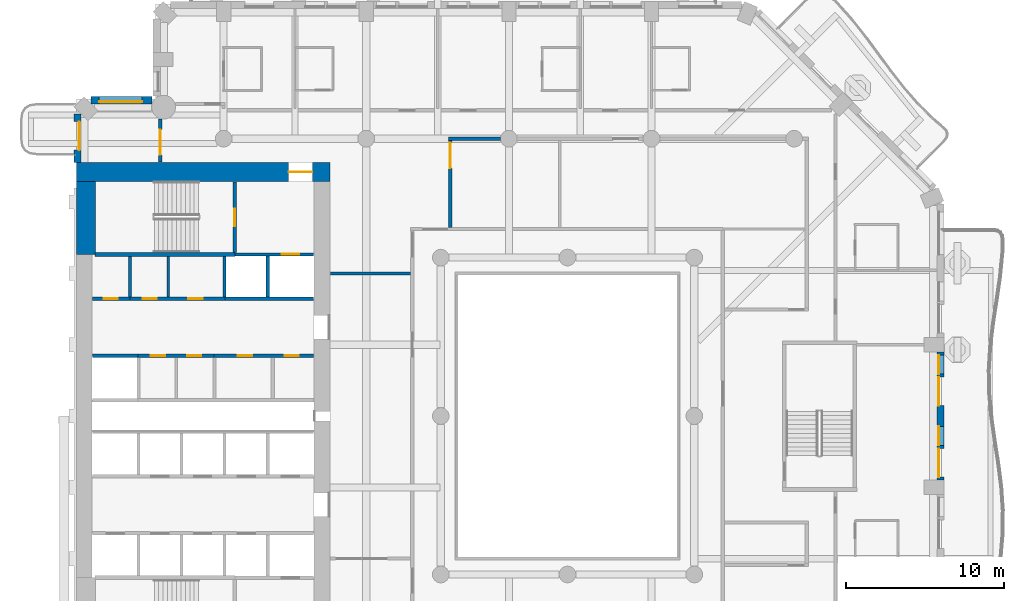
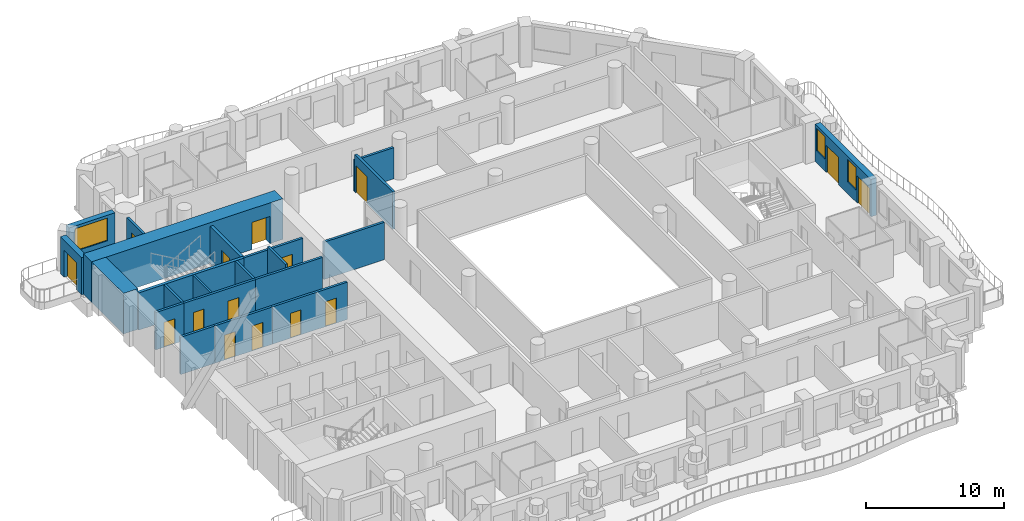
# One storey, part 7 of 21: 22 walls, 15 doors, 3 windows, 18 openings.
"""IFC4 building model written with IfcOpenShell, lengths in metres."""

from ifc_helpers import new_model, si_unit, direction, frame, frame_2d, origin, place, context, subcontext, project, spatial, rectangle, extrude, material, layer, layer_set, type_object, element, fill, save


model = new_model("IFC4")

# Units and contexts
model_context = context("Model", 3, precision=1e-05, world=origin(), true_north=direction((0.0, 1.0)))
body_context = subcontext(model_context, "Body", "Model", "MODEL_VIEW")
ifc_project = project(units=[si_unit("LENGTHUNIT", "METRE"), si_unit("AREAUNIT", "SQUARE_METRE"), si_unit("VOLUMEUNIT", "CUBIC_METRE"), si_unit("PLANEANGLEUNIT", "RADIAN"), si_unit("MASSUNIT", "GRAM", prefix="KILO")], contexts=[model_context])

# Site, building, storey
site_placement = place(None, origin())
site = spatial("IfcSite", under=ifc_project, at=site_placement, CompositionType="ELEMENT")
building_placement = place(site_placement, origin())
building = spatial("IfcBuilding", under=site, at=building_placement, Name="Cypress Arch Tower", CompositionType="ELEMENT")
storey_placement = place(building_placement, frame((0.0, 0.0, 127.5)))
storey = spatial("IfcBuildingStorey", under=building, at=storey_placement, Name="L27", CompositionType="ELEMENT", Elevation=127.5)

# Wall, opening, door
ifc_material_1 = material(Name="Brick (red buff blend)", Category="masonry")
ifc_layer_1 = layer(ifc_material_1, 0.449951171875)
ifc_layer_set_1 = layer_set([ifc_layer_1], Name="Brick pier and spandrel wall BW450")
wall_type_1 = type_object("IfcWallType", Name="Brick pier and spandrel wall BW450", PredefinedType="SOLIDWALL", material=ifc_layer_set_1)
wall_1_placement = place(storey_placement, frame((-29.925048828125, 19.063720703125, 0.0), z_axis=(0.0, 0.0, 1.0), x_axis=(0.0, -1.0, 0.0)))
wall_1 = element("IfcWall", 1, at=wall_1_placement, inside=storey, type_object=wall_type_1, Name="Brick wall L27 A00.0", PredefinedType="SOLIDWALL", context=body_context, shape_type="SweptSolid", body=[
    extrude(rectangle(XDim=3.063720703125, YDim=0.449951171875, at=frame_2d((1.53173828125, 0.0))), origin(), (0.0, 0.0, 1.0), 3.300048828125),
])
opening_1_placement = place(wall_1_placement, frame((0.481689453125, 0.0, 0.0)))
opening_1 = element("IfcOpeningElement", 2, at=opening_1_placement, cuts=wall_1, Name="Opening D-L27-A00.0.1", PredefinedType="OPENING", context=body_context, shape_type="SweptSolid", body=[
    extrude(rectangle(XDim=1.800048828125, YDim=2.39990234375, at=frame_2d((0.89990234375, 1.199951171875))), frame((0.0, 0.23486328125, 0.0), z_axis=(0.0, -1.0, 0.0), x_axis=(1.0, 0.0, 0.0)), (0.0, 0.0, 1.0), 0.469970703125),
])
ifc_material_2 = material(Name="Anodised aluminium, bronze finish, laminated low-emissivity double glazing, large-missile impact rated", Category="aluminium")
door_type_1 = type_object("IfcDoorType", Name="Balcony sliding door 1800x2400", OperationType="SLIDING_TO_LEFT", PredefinedType="DOOR", material=ifc_material_2)
door_1_placement = place(opening_1_placement, origin())
door_1 = element("IfcDoor", 3, at=door_1_placement, inside=storey, type_object=door_type_1, Name="Balcony door L27 A00.0.1", OperationType="SLIDING_TO_LEFT", OverallHeight=2.39990234375, OverallWidth=1.800048828125, PredefinedType="DOOR", context=body_context, shape_type="SweptSolid", body=[
    extrude(rectangle(XDim=1.800048828125, YDim=2.39990234375, at=frame_2d((0.89990234375, 1.199951171875))), frame((0.0, 0.1298828125, 0.0), z_axis=(0.0, -1.0, 0.0), x_axis=(1.0, 0.0, 0.0)), (0.0, 0.0, 1.0), 0.050048828125),
])
fill(opening_1, door_1)

# Wall, openings, doors, windows
wall_2_placement = place(storey_placement, frame((24.52490234375, -4.050048828125, 0.0), z_axis=(0.0, 0.0, 1.0), x_axis=(0.0, 1.0, 0.0)))
wall_2 = element("IfcWall", 4, at=wall_2_placement, inside=storey, type_object=wall_type_1, Name="Brick wall L27 A06.2", PredefinedType="SOLIDWALL", context=body_context, shape_type="SweptSolid", body=[
    extrude(rectangle(XDim=8.10009765625, YDim=0.449951171875, at=frame_2d((4.050048828125, 0.0))), origin(), (0.0, 0.0, 1.0), 3.300048828125),
])
opening_2_placement = place(wall_2_placement, frame((0.199951171875, 0.0, 0.0)))
opening_2 = element("IfcOpeningElement", 5, at=opening_2_placement, cuts=wall_2, Name="Opening D-L27-A06.2.1", PredefinedType="OPENING", context=body_context, shape_type="SweptSolid", body=[
    extrude(rectangle(XDim=1.800048828125, YDim=2.39990234375, at=frame_2d((0.89990234375, 1.199951171875))), frame((0.0, 0.23486328125, 0.0), z_axis=(0.0, -1.0, 0.0), x_axis=(1.0, 0.0, 0.0)), (0.0, 0.0, 1.0), 0.469970703125),
])
opening_3_placement = place(wall_2_placement, frame((2.199951171875, 0.0, 1.050048828125)))
opening_3 = element("IfcOpeningElement", 6, at=opening_3_placement, cuts=wall_2, Name="Opening W120HD", PredefinedType="OPENING", context=body_context, shape_type="SweptSolid", body=[
    extrude(rectangle(XDim=1.199951171875, YDim=2.0, at=frame_2d((0.60009765625, 1.0))), frame((0.0, 0.23486328125, 0.0), z_axis=(0.0, -1.0, 0.0), x_axis=(1.0, 0.0, 0.0)), (0.0, 0.0, 1.0), 0.469970703125),
])
opening_4_placement = place(wall_2_placement, frame((4.699951171875, 0.0, 0.0)))
opening_4 = element("IfcOpeningElement", 7, at=opening_4_placement, cuts=wall_2, Name="Opening D-L27-A06.2.2", PredefinedType="OPENING", context=body_context, shape_type="SweptSolid", body=[
    extrude(rectangle(XDim=1.800048828125, YDim=2.39990234375, at=frame_2d((0.89990234375, 1.199951171875))), frame((0.0, 0.23486328125, 0.0), z_axis=(0.0, -1.0, 0.0), x_axis=(1.0, 0.0, 0.0)), (0.0, 0.0, 1.0), 0.469970703125),
])
opening_5_placement = place(wall_2_placement, frame((6.699951171875, 0.0, 1.050048828125)))
opening_5 = element("IfcOpeningElement", 8, at=opening_5_placement, cuts=wall_2, Name="Opening W120HD", PredefinedType="OPENING", context=body_context, shape_type="SweptSolid", body=[
    extrude(rectangle(XDim=1.199951171875, YDim=2.0, at=frame_2d((0.60009765625, 1.0))), frame((0.0, 0.23486328125, 0.0), z_axis=(0.0, -1.0, 0.0), x_axis=(1.0, 0.0, 0.0)), (0.0, 0.0, 1.0), 0.469970703125),
])
door_2_placement = place(opening_2_placement, origin())
door_2 = element("IfcDoor", 9, at=door_2_placement, inside=storey, type_object=door_type_1, Name="Balcony door L27 A06.2.1", OperationType="SLIDING_TO_LEFT", OverallHeight=2.39990234375, OverallWidth=1.800048828125, PredefinedType="DOOR", context=body_context, shape_type="SweptSolid", body=[
    extrude(rectangle(XDim=1.800048828125, YDim=2.39990234375, at=frame_2d((0.89990234375, 1.199951171875))), frame((0.0, 0.1298828125, 0.0), z_axis=(0.0, -1.0, 0.0), x_axis=(1.0, 0.0, 0.0)), (0.0, 0.0, 1.0), 0.050048828125),
])
fill(opening_2, door_2)
door_3_placement = place(opening_4_placement, origin())
door_3 = element("IfcDoor", 10, at=door_3_placement, inside=storey, type_object=door_type_1, Name="Balcony door L27 A06.2.2", OperationType="SLIDING_TO_LEFT", OverallHeight=2.39990234375, OverallWidth=1.800048828125, PredefinedType="DOOR", context=body_context, shape_type="SweptSolid", body=[
    extrude(rectangle(XDim=1.800048828125, YDim=2.39990234375, at=frame_2d((0.89990234375, 1.199951171875))), frame((0.0, 0.1298828125, 0.0), z_axis=(0.0, -1.0, 0.0), x_axis=(1.0, 0.0, 0.0)), (0.0, 0.0, 1.0), 0.050048828125),
])
fill(opening_4, door_3)
ifc_material_3 = material(Name="Anodised aluminium, bronze finish, laminated low-emissivity double glazing, large-missile impact rated", Category="aluminium")
window_type_1 = type_object("IfcWindowType", Name="Window Hotel 1200x2000 debris-rated", PartitioningType="SINGLE_PANEL", PredefinedType="WINDOW", material=ifc_material_3)
window_1_placement = place(opening_3_placement, origin())
window_1 = element("IfcWindow", 11, at=window_1_placement, inside=storey, type_object=window_type_1, Name="Window L27 A06.2.1", OverallHeight=2.0, OverallWidth=1.199951171875, PartitioningType="SINGLE_PANEL", PredefinedType="WINDOW", context=body_context, shape_type="SweptSolid", body=[
    extrude(rectangle(XDim=1.199951171875, YDim=2.0, at=frame_2d((0.60009765625, 1.0))), frame((0.0, 0.135009765625, 0.0), z_axis=(0.0, -1.0, 0.0), x_axis=(1.0, 0.0, 0.0)), (0.0, 0.0, 1.0), 0.06005859375),
])
fill(opening_3, window_1)
window_2_placement = place(opening_5_placement, origin())
window_2 = element("IfcWindow", 12, at=window_2_placement, inside=storey, type_object=window_type_1, Name="Window L27 A06.2.2", OverallHeight=2.0, OverallWidth=1.199951171875, PartitioningType="SINGLE_PANEL", PredefinedType="WINDOW", context=body_context, shape_type="SweptSolid", body=[
    extrude(rectangle(XDim=1.199951171875, YDim=2.0, at=frame_2d((0.60009765625, 1.0))), frame((0.0, 0.135009765625, 0.0), z_axis=(0.0, -1.0, 0.0), x_axis=(1.0, 0.0, 0.0)), (0.0, 0.0, 1.0), 0.06005859375),
])
fill(opening_5, window_2)

# Wall, opening, window
wall_3_placement = place(storey_placement, frame((-25.20703125, 19.925048828125, 0.0), z_axis=(0.0, 0.0, 1.0), x_axis=(-1.0, 0.0, 0.0)))
wall_3 = element("IfcWall", 13, at=wall_3_placement, inside=storey, type_object=wall_type_1, Name="Brick wall L27 A10.0", PredefinedType="SOLIDWALL", context=body_context, shape_type="SweptSolid", body=[
    extrude(rectangle(XDim=3.856689453125, YDim=0.449951171875, at=frame_2d((1.92822265625, 0.0))), origin(), (0.0, 0.0, 1.0), 3.300048828125),
])
opening_6_placement = place(wall_3_placement, frame((0.64306640625, 0.0, 1.050048828125)))
opening_6 = element("IfcOpeningElement", 14, at=opening_6_placement, cuts=wall_3, Name="Opening W270H", PredefinedType="OPENING", context=body_context, shape_type="SweptSolid", body=[
    extrude(rectangle(XDim=2.699951171875, YDim=2.0, at=frame_2d((1.35009765625, 1.0))), frame((0.0, 0.23486328125, 0.0), z_axis=(0.0, -1.0, 0.0), x_axis=(1.0, 0.0, 0.0)), (0.0, 0.0, 1.0), 0.469970703125),
])
ifc_material_4 = material(Name="Anodised aluminium, bronze finish, clear low-emissivity double glazing", Category="aluminium")
window_type_2 = type_object("IfcWindowType", Name="Window Hotel 2700x2000", PartitioningType="SINGLE_PANEL", PredefinedType="WINDOW", material=ifc_material_4)
window_3_placement = place(opening_6_placement, origin())
window_3 = element("IfcWindow", 15, at=window_3_placement, inside=storey, type_object=window_type_2, Name="Window L27 A10.0.1", OverallHeight=2.0, OverallWidth=2.699951171875, PartitioningType="SINGLE_PANEL", PredefinedType="WINDOW", context=body_context, shape_type="SweptSolid", body=[
    extrude(rectangle(XDim=2.699951171875, YDim=2.0, at=frame_2d((1.35009765625, 1.0))), frame((0.0, 0.135009765625, 0.0), z_axis=(0.0, -1.0, 0.0), x_axis=(1.0, 0.0, 0.0)), (0.0, 0.0, 1.0), 0.06005859375),
])
fill(opening_6, window_3)

# Wall, opening, door
ifc_material_5 = material(Name="Concrete C80/95", Category="concrete")
ifc_layer_2 = layer(ifc_material_5, 1.199951171875)
ifc_layer_set_2 = layer_set([ifc_layer_2], Name="Core wall CW1200 C80/95")
wall_type_2 = type_object("IfcWallType", Name="Core wall CW1200 C80/95", PredefinedType="SHEAR", material=ifc_layer_set_2)
wall_4_placement = place(storey_placement, frame((-30.0, 15.39990234375, 0.0), z_axis=(0.0, 0.0, 1.0), x_axis=(1.0, 0.0, 0.0)))
wall_4 = element("IfcWall", 16, at=wall_4_placement, inside=storey, type_object=wall_type_2, Name="Core wall", PredefinedType="SHEAR", context=body_context, shape_type="SweptSolid", body=[
    extrude(rectangle(XDim=16.0, YDim=1.199951171875, at=frame_2d((8.0, 0.0))), origin(), (0.0, 0.0, 1.0), 3.60009765625),
])
opening_7_placement = place(wall_4_placement, frame((13.39990234375, 0.0, 0.0)))
opening_7 = element("IfcOpeningElement", 17, at=opening_7_placement, cuts=wall_4, Name="Opening D07", PredefinedType="OPENING", context=body_context, shape_type="SweptSolid", body=[
    extrude(rectangle(XDim=1.5, YDim=2.39990234375, at=frame_2d((0.75, 1.199951171875))), frame((0.0, 0.60986328125, 0.0), z_axis=(0.0, -1.0, 0.0), x_axis=(1.0, 0.0, 0.0)), (0.0, 0.0, 1.0), 1.219970703125),
])
ifc_material_6 = material(Name="Steel framed glazed door, fire resisting", Category="steel")
door_type_2 = type_object("IfcDoorType", Name="Lobby door D07 1500x2400", OperationType="DOUBLE_DOOR_SINGLE_SWING", PredefinedType="DOOR", material=ifc_material_6)
door_4_placement = place(opening_7_placement, origin())
door_4 = element("IfcDoor", 18, at=door_4_placement, inside=storey, type_object=door_type_2, Name="Lobby door", OperationType="DOUBLE_DOOR_SINGLE_SWING", OverallHeight=2.39990234375, OverallWidth=1.5, PredefinedType="DOOR", context=body_context, shape_type="SweptSolid", body=[
    extrude(rectangle(XDim=1.5, YDim=2.39990234375, at=frame_2d((0.75, 1.199951171875))), frame((0.0, 0.02490234375, 0.0), z_axis=(0.0, -1.0, 0.0), x_axis=(1.0, 0.0, 0.0)), (0.0, 0.0, 1.0), 0.050048828125),
])
fill(opening_7, door_4)

# Wall
wall_5_placement = place(storey_placement, frame((-29.39990234375, 10.199951171875, 0.0), z_axis=(0.0, 0.0, 1.0), x_axis=(0.0, 1.0, 0.0)))
element("IfcWall", 19, at=wall_5_placement, inside=storey, type_object=wall_type_2, Name="Core wall", PredefinedType="SHEAR", context=body_context, shape_type="SweptSolid", body=[
    extrude(rectangle(XDim=4.60009765625, YDim=1.199951171875, at=frame_2d((2.300048828125, 0.0))), origin(), (0.0, 0.0, 1.0), 3.60009765625),
])

# Wall, openings, doors
ifc_material_7 = material(Name="Concrete blockwork, plastered, rated", Category="masonry")
ifc_layer_3 = layer(ifc_material_7, 0.199951171875)
ifc_layer_set_3 = layer_set([ifc_layer_3], Name="Corridor wall FW200")
wall_type_3 = type_object("IfcWallType", Name="Corridor wall FW200", PredefinedType="PARTITIONING", material=ifc_layer_set_3)
wall_6_placement = place(storey_placement, frame((-26.6201171875, 7.39990234375, 0.0), z_axis=(0.0, 0.0, 1.0), x_axis=(1.0, 0.0, 0.0)))
wall_6 = element("IfcWall", 20, at=wall_6_placement, inside=storey, type_object=wall_type_3, Name="Corridor wall", PredefinedType="PARTITIONING", context=body_context, shape_type="SweptSolid", body=[
    extrude(rectangle(XDim=6.0, YDim=0.199951171875, at=frame_2d((3.0, 0.0))), origin(), (0.0, 0.0, 1.0), 3.300048828125),
])
opening_8_placement = place(wall_6_placement, frame((0.800048828125, 0.0, 0.0)))
opening_8 = element("IfcOpeningElement", 21, at=opening_8_placement, cuts=wall_6, Name="Opening D05", PredefinedType="OPENING", context=body_context, shape_type="SweptSolid", body=[
    extrude(rectangle(XDim=0.89990234375, YDim=2.199951171875, at=frame_2d((0.449951171875, 1.10009765625))), frame((0.0, 0.10986328125, 0.0), z_axis=(0.0, -1.0, 0.0), x_axis=(1.0, 0.0, 0.0)), (0.0, 0.0, 1.0), 0.219970703125),
])
opening_9_placement = place(wall_6_placement, frame((3.699951171875, 0.0, 0.0)))
opening_9 = element("IfcOpeningElement", 22, at=opening_9_placement, cuts=wall_6, Name="Opening D05", PredefinedType="OPENING", context=body_context, shape_type="SweptSolid", body=[
    extrude(rectangle(XDim=0.89990234375, YDim=2.199951171875, at=frame_2d((0.449951171875, 1.10009765625))), frame((0.0, 0.10986328125, 0.0), z_axis=(0.0, -1.0, 0.0), x_axis=(1.0, 0.0, 0.0)), (0.0, 0.0, 1.0), 0.219970703125),
])
ifc_material_8 = material(Name="Timber flush door", Category="wood")
door_type_3 = type_object("IfcDoorType", Name="Service door D05 900x2200", OperationType="SINGLE_SWING_LEFT", PredefinedType="DOOR", material=ifc_material_8)
door_5_placement = place(opening_8_placement, origin())
door_5 = element("IfcDoor", 23, at=door_5_placement, inside=storey, type_object=door_type_3, Name="Service door", OperationType="SINGLE_SWING_RIGHT", OverallHeight=2.199951171875, OverallWidth=0.89990234375, PredefinedType="DOOR", context=body_context, shape_type="SweptSolid", body=[
    extrude(rectangle(XDim=0.89990234375, YDim=2.199951171875, at=frame_2d((0.449951171875, 1.10009765625))), frame((0.0, 0.02490234375, 0.0), z_axis=(0.0, -1.0, 0.0), x_axis=(1.0, 0.0, 0.0)), (0.0, 0.0, 1.0), 0.050048828125),
])
fill(opening_8, door_5)
door_6_placement = place(opening_9_placement, origin())
door_6 = element("IfcDoor", 24, at=door_6_placement, inside=storey, type_object=door_type_3, Name="Service door", OperationType="SINGLE_SWING_LEFT", OverallHeight=2.199951171875, OverallWidth=0.89990234375, PredefinedType="DOOR", context=body_context, shape_type="SweptSolid", body=[
    extrude(rectangle(XDim=0.89990234375, YDim=2.199951171875, at=frame_2d((0.449951171875, 1.10009765625))), frame((0.0, 0.02490234375, 0.0), z_axis=(0.0, -1.0, 0.0), x_axis=(1.0, 0.0, 0.0)), (0.0, 0.0, 1.0), 0.050048828125),
])
fill(opening_9, door_6)

wall_7_placement = place(storey_placement, frame((-26.10009765625, 3.800048828125, 0.0), z_axis=(0.0, 0.0, 1.0), x_axis=(1.0, 0.0, 0.0)))
wall_7 = element("IfcWall", 25, at=wall_7_placement, inside=storey, type_object=wall_type_3, Name="Corridor wall", PredefinedType="PARTITIONING", context=body_context, shape_type="SweptSolid", body=[
    extrude(rectangle(XDim=4.800048828125, YDim=0.199951171875, at=frame_2d((2.39990234375, 0.0))), origin(), (0.0, 0.0, 1.0), 3.300048828125),
])
opening_10_placement = place(wall_7_placement, frame((0.800048828125, 0.0, 0.0)))
opening_10 = element("IfcOpeningElement", 26, at=opening_10_placement, cuts=wall_7, Name="Opening D05", PredefinedType="OPENING", context=body_context, shape_type="SweptSolid", body=[
    extrude(rectangle(XDim=0.89990234375, YDim=2.199951171875, at=frame_2d((0.449951171875, 1.10009765625))), frame((0.0, 0.10986328125, 0.0), z_axis=(0.0, -1.0, 0.0), x_axis=(1.0, 0.0, 0.0)), (0.0, 0.0, 1.0), 0.219970703125),
])
opening_11_placement = place(wall_7_placement, frame((3.10009765625, 0.0, 0.0)))
opening_11 = element("IfcOpeningElement", 27, at=opening_11_placement, cuts=wall_7, Name="Opening D05", PredefinedType="OPENING", context=body_context, shape_type="SweptSolid", body=[
    extrude(rectangle(XDim=0.89990234375, YDim=2.199951171875, at=frame_2d((0.449951171875, 1.10009765625))), frame((0.0, 0.10986328125, 0.0), z_axis=(0.0, -1.0, 0.0), x_axis=(1.0, 0.0, 0.0)), (0.0, 0.0, 1.0), 0.219970703125),
])
door_7_placement = place(opening_10_placement, origin())
door_7 = element("IfcDoor", 28, at=door_7_placement, inside=storey, type_object=door_type_3, Name="Service door", OperationType="SINGLE_SWING_LEFT", OverallHeight=2.199951171875, OverallWidth=0.89990234375, PredefinedType="DOOR", context=body_context, shape_type="SweptSolid", body=[
    extrude(rectangle(XDim=0.89990234375, YDim=2.199951171875, at=frame_2d((0.449951171875, 1.10009765625))), frame((0.0, 0.02490234375, 0.0), z_axis=(0.0, -1.0, 0.0), x_axis=(1.0, 0.0, 0.0)), (0.0, 0.0, 1.0), 0.050048828125),
])
fill(opening_10, door_7)
door_8_placement = place(opening_11_placement, origin())
door_8 = element("IfcDoor", 29, at=door_8_placement, inside=storey, type_object=door_type_3, Name="Service door", OperationType="SINGLE_SWING_RIGHT", OverallHeight=2.199951171875, OverallWidth=0.89990234375, PredefinedType="DOOR", context=body_context, shape_type="SweptSolid", body=[
    extrude(rectangle(XDim=0.89990234375, YDim=2.199951171875, at=frame_2d((0.449951171875, 1.10009765625))), frame((0.0, 0.02490234375, 0.0), z_axis=(0.0, -1.0, 0.0), x_axis=(1.0, 0.0, 0.0)), (0.0, 0.0, 1.0), 0.050048828125),
])
fill(opening_11, door_8)

# Wall, opening, door
wall_8_placement = place(storey_placement, frame((-24.699951171875, 16.030029296875, 0.0), z_axis=(0.0, 0.0, 1.0), x_axis=(0.0, 1.0, 0.0)))
wall_8 = element("IfcWall", 30, at=wall_8_placement, inside=storey, type_object=wall_type_3, Name="Corridor wall", PredefinedType="PARTITIONING", context=body_context, shape_type="SweptSolid", body=[
    extrude(rectangle(XDim=2.72216796875, YDim=0.199951171875, at=frame_2d((1.361083984375, 0.0))), origin(), (0.0, 0.0, 1.0), 3.300048828125),
])
opening_12_placement = place(wall_8_placement, frame((0.449951171875, 0.0, 0.0)))
opening_12 = element("IfcOpeningElement", 31, at=opening_12_placement, cuts=wall_8, Name="Opening D10", PredefinedType="OPENING", context=body_context, shape_type="SweptSolid", body=[
    extrude(rectangle(XDim=1.60009765625, YDim=2.39990234375, at=frame_2d((0.800048828125, 1.199951171875))), frame((0.0, 0.10986328125, 0.0), z_axis=(0.0, -1.0, 0.0), x_axis=(1.0, 0.0, 0.0)), (0.0, 0.0, 1.0), 0.219970703125),
])
ifc_material_9 = material(Name="Black aluminium glazed door", Category="aluminium")
door_type_4 = type_object("IfcDoorType", Name="Amenity door D10 1600x2400", OperationType="DOUBLE_DOOR_SINGLE_SWING", PredefinedType="DOOR", material=ifc_material_9)
door_9_placement = place(opening_12_placement, origin())
door_9 = element("IfcDoor", 32, at=door_9_placement, inside=storey, type_object=door_type_4, Name="Amenity door", OperationType="DOUBLE_DOOR_SINGLE_SWING", OverallHeight=2.39990234375, OverallWidth=1.60009765625, PredefinedType="DOOR", context=body_context, shape_type="SweptSolid", body=[
    extrude(rectangle(XDim=1.60009765625, YDim=2.39990234375, at=frame_2d((0.800048828125, 1.199951171875))), frame((0.0, 0.02490234375, 0.0), z_axis=(0.0, -1.0, 0.0), x_axis=(1.0, 0.0, 0.0)), (0.0, 0.0, 1.0), 0.050048828125),
])
fill(opening_12, door_9)

# Wall
wall_9_placement = place(storey_placement, frame((-13.969970703125, 9.0, 0.0), z_axis=(0.0, 0.0, 1.0), x_axis=(1.0, 0.0, 0.0)))
element("IfcWall", 33, at=wall_9_placement, inside=storey, type_object=wall_type_3, Name="Corridor wall", PredefinedType="PARTITIONING", context=body_context, shape_type="SweptSolid", body=[
    extrude(rectangle(XDim=5.070068359375, YDim=0.199951171875, at=frame_2d((2.53515625, 0.0))), origin(), (0.0, 0.0, 1.0), 3.300048828125),
])

# Wall, opening, door
wall_10_placement = place(storey_placement, frame((-6.39990234375, 11.89990234375, 0.0), z_axis=(0.0, 0.0, 1.0), x_axis=(0.0, 1.0, 0.0)))
wall_10 = element("IfcWall", 34, at=wall_10_placement, inside=storey, type_object=wall_type_3, Name="Corridor wall", PredefinedType="PARTITIONING", context=body_context, shape_type="SweptSolid", body=[
    extrude(rectangle(XDim=5.5, YDim=0.199951171875, at=frame_2d((2.75, 0.0))), origin(), (0.0, 0.0, 1.0), 3.300048828125),
])
opening_13_placement = place(wall_10_placement, frame((3.75, 0.0, 0.0)))
opening_13 = element("IfcOpeningElement", 35, at=opening_13_placement, cuts=wall_10, Name="Opening D10", PredefinedType="OPENING", context=body_context, shape_type="SweptSolid", body=[
    extrude(rectangle(XDim=1.60009765625, YDim=2.39990234375, at=frame_2d((0.800048828125, 1.199951171875))), frame((0.0, 0.10986328125, 0.0), z_axis=(0.0, -1.0, 0.0), x_axis=(1.0, 0.0, 0.0)), (0.0, 0.0, 1.0), 0.219970703125),
])
door_10_placement = place(opening_13_placement, origin())
door_10 = element("IfcDoor", 36, at=door_10_placement, inside=storey, type_object=door_type_4, Name="Amenity door", OperationType="DOUBLE_DOOR_SINGLE_SWING", OverallHeight=2.39990234375, OverallWidth=1.60009765625, PredefinedType="DOOR", context=body_context, shape_type="SweptSolid", body=[
    extrude(rectangle(XDim=1.60009765625, YDim=2.39990234375, at=frame_2d((0.800048828125, 1.199951171875))), frame((0.0, 0.02490234375, 0.0), z_axis=(0.0, -1.0, 0.0), x_axis=(1.0, 0.0, 0.0)), (0.0, 0.0, 1.0), 0.050048828125),
])
fill(opening_13, door_10)

# Walls
wall_11_placement = place(storey_placement, frame((-6.5, 17.5, 0.0), z_axis=(0.0, 0.0, 1.0), x_axis=(1.0, 0.0, 0.0)))
element("IfcWall", 37, at=wall_11_placement, inside=storey, type_object=wall_type_3, Name="Corridor wall", PredefinedType="PARTITIONING", context=body_context, shape_type="SweptSolid", body=[
    extrude(rectangle(XDim=3.27490234375, YDim=0.199951171875, at=frame_2d((1.637451171875, 0.0))), origin(), (0.0, 0.0, 1.0), 2.75),
])
ifc_material_10 = material(Name="Blockwork, plastered both sides", Category="masonry")
ifc_layer_4 = layer(ifc_material_10, 0.14990234375)
ifc_layer_set_4 = layer_set([ifc_layer_4], Name="Partition PW150")
wall_type_4 = type_object("IfcWallType", Name="Partition PW150", PredefinedType="PARTITIONING", material=ifc_layer_set_4)
wall_12_placement = place(storey_placement, frame((-24.199951171875, 7.5, 0.0), z_axis=(0.0, 0.0, 1.0), x_axis=(0.0, 1.0, 0.0)))
element("IfcWall", 38, at=wall_12_placement, inside=storey, type_object=wall_type_4, Name="Partition", PredefinedType="PARTITIONING", context=body_context, shape_type="SweptSolid", body=[
    extrude(rectangle(XDim=2.574951171875, YDim=0.14990234375, at=frame_2d((1.28759765625, 0.0))), origin(), (0.0, 0.0, 1.0), 3.300048828125),
])

# Wall, opening, door
ifc_material_11 = material(Name="Reinforced blockwork, plastered, rated", Category="masonry")
ifc_layer_5 = layer(ifc_material_11, 0.199951171875)
ifc_layer_set_5 = layer_set([ifc_layer_5], Name="Plant and riser wall PL200")
wall_type_5 = type_object("IfcWallType", Name="Plant and riser wall PL200", PredefinedType="PARTITIONING", material=ifc_layer_set_5)
wall_13_placement = place(storey_placement, frame((-28.969970703125, 7.39990234375, 0.0), z_axis=(0.0, 0.0, 1.0), x_axis=(1.0, 0.0, 0.0)))
wall_13 = element("IfcWall", 39, at=wall_13_placement, inside=storey, type_object=wall_type_5, Name="Plant and riser wall", PredefinedType="PARTITIONING", context=body_context, shape_type="SweptSolid", body=[
    extrude(rectangle(XDim=2.349853515625, YDim=0.199951171875, at=frame_2d((1.1748046875, 0.0))), origin(), (0.0, 0.0, 1.0), 3.300048828125),
])
opening_14_placement = place(wall_13_placement, frame((0.699951171875, 0.0, 0.0)))
opening_14 = element("IfcOpeningElement", 40, at=opening_14_placement, cuts=wall_13, Name="Opening D05", PredefinedType="OPENING", context=body_context, shape_type="SweptSolid", body=[
    extrude(rectangle(XDim=0.89990234375, YDim=2.199951171875, at=frame_2d((0.449951171875, 1.10009765625))), frame((0.0, 0.10986328125, 0.0), z_axis=(0.0, -1.0, 0.0), x_axis=(1.0, 0.0, 0.0)), (0.0, 0.0, 1.0), 0.219970703125),
])
door_11_placement = place(opening_14_placement, origin())
door_11 = element("IfcDoor", 41, at=door_11_placement, inside=storey, type_object=door_type_3, Name="Service door", OperationType="SINGLE_SWING_RIGHT", OverallHeight=2.199951171875, OverallWidth=0.89990234375, PredefinedType="DOOR", context=body_context, shape_type="SweptSolid", body=[
    extrude(rectangle(XDim=0.89990234375, YDim=2.199951171875, at=frame_2d((0.449951171875, 1.10009765625))), frame((0.0, 0.02490234375, 0.0), z_axis=(0.0, -1.0, 0.0), x_axis=(1.0, 0.0, 0.0)), (0.0, 0.0, 1.0), 0.050048828125),
])
fill(opening_14, door_11)

# Wall
wall_14_placement = place(storey_placement, frame((-26.60009765625, 7.5, 0.0), z_axis=(0.0, 0.0, 1.0), x_axis=(0.0, 1.0, 0.0)))
element("IfcWall", 42, at=wall_14_placement, inside=storey, type_object=wall_type_5, Name="Plant and riser wall", PredefinedType="PARTITIONING", context=body_context, shape_type="SweptSolid", body=[
    extrude(rectangle(XDim=2.574951171875, YDim=0.199951171875, at=frame_2d((1.28759765625, 0.0))), origin(), (0.0, 0.0, 1.0), 3.300048828125),
])

# Wall, openings, doors
wall_15_placement = place(storey_placement, frame((-21.300048828125, 3.800048828125, 0.0), z_axis=(0.0, 0.0, 1.0), x_axis=(1.0, 0.0, 0.0)))
wall_15 = element("IfcWall", 43, at=wall_15_placement, inside=storey, type_object=wall_type_5, Name="Plant and riser wall", PredefinedType="PARTITIONING", context=body_context, shape_type="SweptSolid", body=[
    extrude(rectangle(XDim=6.27001953125, YDim=0.199951171875, at=frame_2d((3.135009765625, 0.0))), origin(), (0.0, 0.0, 1.0), 3.300048828125),
])
opening_15_placement = place(wall_15_placement, frame((1.5, 0.0, 0.0)))
opening_15 = element("IfcOpeningElement", 44, at=opening_15_placement, cuts=wall_15, Name="Opening D05", PredefinedType="OPENING", context=body_context, shape_type="SweptSolid", body=[
    extrude(rectangle(XDim=0.89990234375, YDim=2.199951171875, at=frame_2d((0.449951171875, 1.10009765625))), frame((0.0, 0.10986328125, 0.0), z_axis=(0.0, -1.0, 0.0), x_axis=(1.0, 0.0, 0.0)), (0.0, 0.0, 1.0), 0.219970703125),
])
opening_16_placement = place(wall_15_placement, frame((4.449951171875, 0.0, 0.0)))
opening_16 = element("IfcOpeningElement", 45, at=opening_16_placement, cuts=wall_15, Name="Opening D05", PredefinedType="OPENING", context=body_context, shape_type="SweptSolid", body=[
    extrude(rectangle(XDim=0.89990234375, YDim=2.199951171875, at=frame_2d((0.449951171875, 1.10009765625))), frame((0.0, 0.10986328125, 0.0), z_axis=(0.0, -1.0, 0.0), x_axis=(1.0, 0.0, 0.0)), (0.0, 0.0, 1.0), 0.219970703125),
])
door_12_placement = place(opening_15_placement, origin())
door_12 = element("IfcDoor", 46, at=door_12_placement, inside=storey, type_object=door_type_3, Name="Service door", OperationType="SINGLE_SWING_LEFT", OverallHeight=2.199951171875, OverallWidth=0.89990234375, PredefinedType="DOOR", context=body_context, shape_type="SweptSolid", body=[
    extrude(rectangle(XDim=0.89990234375, YDim=2.199951171875, at=frame_2d((0.449951171875, 1.10009765625))), frame((0.0, 0.02490234375, 0.0), z_axis=(0.0, -1.0, 0.0), x_axis=(1.0, 0.0, 0.0)), (0.0, 0.0, 1.0), 0.050048828125),
])
fill(opening_15, door_12)
door_13_placement = place(opening_16_placement, origin())
door_13 = element("IfcDoor", 47, at=door_13_placement, inside=storey, type_object=door_type_3, Name="Service door", OperationType="SINGLE_SWING_RIGHT", OverallHeight=2.199951171875, OverallWidth=0.89990234375, PredefinedType="DOOR", context=body_context, shape_type="SweptSolid", body=[
    extrude(rectangle(XDim=0.89990234375, YDim=2.199951171875, at=frame_2d((0.449951171875, 1.10009765625))), frame((0.0, 0.02490234375, 0.0), z_axis=(0.0, -1.0, 0.0), x_axis=(1.0, 0.0, 0.0)), (0.0, 0.0, 1.0), 0.050048828125),
])
fill(opening_16, door_13)

# Walls
ifc_material_12 = material(Name="Concrete C50/60", Category="concrete")
ifc_layer_6 = layer(ifc_material_12, 0.199951171875)
ifc_layer_set_6 = layer_set([ifc_layer_6], Name="Shaft wall SH200")
wall_type_6 = type_object("IfcWallType", Name="Shaft wall SH200", PredefinedType="SHEAR", material=ifc_layer_set_6)
wall_16_placement = place(storey_placement, frame((-28.969970703125, 3.800048828125, 0.0), z_axis=(0.0, 0.0, 1.0), x_axis=(1.0, 0.0, 0.0)))
element("IfcWall", 48, at=wall_16_placement, inside=storey, type_object=wall_type_6, Name="Shaft wall", PredefinedType="SHEAR", context=body_context, shape_type="SweptSolid", body=[
    extrude(rectangle(XDim=2.869873046875, YDim=0.199951171875, at=frame_2d((1.43505859375, 0.0))), origin(), (0.0, 0.0, 1.0), 3.300048828125),
])
wall_17_placement = place(storey_placement, frame((-20.639892578125, 7.5, 0.0), z_axis=(0.0, 0.0, 1.0), x_axis=(0.0, 1.0, 0.0)))
element("IfcWall", 49, at=wall_17_placement, inside=storey, type_object=wall_type_6, Name="Shaft wall", PredefinedType="SHEAR", context=body_context, shape_type="SweptSolid", body=[
    extrude(rectangle(XDim=2.574951171875, YDim=0.199951171875, at=frame_2d((1.28759765625, 0.0))), origin(), (0.0, 0.0, 1.0), 3.300048828125),
])
wall_18_placement = place(storey_placement, frame((-20.6201171875, 7.39990234375, 0.0), z_axis=(0.0, 0.0, 1.0), x_axis=(1.0, 0.0, 0.0)))
element("IfcWall", 50, at=wall_18_placement, inside=storey, type_object=wall_type_6, Name="Shaft wall", PredefinedType="SHEAR", context=body_context, shape_type="SweptSolid", body=[
    extrude(rectangle(XDim=5.590087890625, YDim=0.199951171875, at=frame_2d((2.794921875, 0.0))), origin(), (0.0, 0.0, 1.0), 3.300048828125),
])

# Wall, opening, door
wall_19_placement = place(storey_placement, frame((-19.97998046875, 10.199951171875, 0.0), z_axis=(0.0, 0.0, 1.0), x_axis=(1.0, 0.0, 0.0)))
wall_19 = element("IfcWall", 51, at=wall_19_placement, inside=storey, type_object=wall_type_6, Name="Shaft wall", PredefinedType="SHEAR", context=body_context, shape_type="SweptSolid", body=[
    extrude(rectangle(XDim=4.949951171875, YDim=0.199951171875, at=frame_2d((2.47509765625, 0.0))), origin(), (0.0, 0.0, 1.0), 3.300048828125),
])
opening_17_placement = place(wall_19_placement, frame((2.949951171875, 0.0, 0.0)))
opening_17 = element("IfcOpeningElement", 52, at=opening_17_placement, cuts=wall_19, Name="Opening LD-FL2", PredefinedType="OPENING", context=body_context, shape_type="SweptSolid", body=[
    extrude(rectangle(XDim=1.10009765625, YDim=2.199951171875, at=frame_2d((0.550048828125, 1.10009765625))), frame((0.0, 0.10986328125, 0.0), z_axis=(0.0, -1.0, 0.0), x_axis=(1.0, 0.0, 0.0)), (0.0, 0.0, 1.0), 0.219970703125),
])
ifc_material_13 = material(Name="Stainless steel centre-opening landing door, rated", Category="steel")
door_type_5 = type_object("IfcDoorType", Name="Lift landing door LD 1100x2200", OperationType="DOUBLE_DOOR_SLIDING", PredefinedType="DOOR", material=ifc_material_13)
door_14_placement = place(opening_17_placement, origin())
door_14 = element("IfcDoor", 53, at=door_14_placement, inside=storey, type_object=door_type_5, Name="Lift landing doors FL2", OperationType="DOUBLE_DOOR_SLIDING", OverallHeight=2.199951171875, OverallWidth=1.10009765625, PredefinedType="DOOR", context=body_context, shape_type="SweptSolid", body=[
    extrude(rectangle(XDim=1.10009765625, YDim=2.199951171875, at=frame_2d((0.550048828125, 1.10009765625))), frame((0.0, 0.02490234375, 0.0), z_axis=(0.0, -1.0, 0.0), x_axis=(1.0, 0.0, 0.0)), (0.0, 0.0, 1.0), 0.050048828125),
])
fill(opening_17, door_14)

# Walls
wall_20_placement = place(storey_placement, frame((-17.919921875, 7.5, 0.0), z_axis=(0.0, 0.0, 1.0), x_axis=(0.0, 1.0, 0.0)))
element("IfcWall", 54, at=wall_20_placement, inside=storey, type_object=wall_type_6, Name="Shaft wall", PredefinedType="SHEAR", context=body_context, shape_type="SweptSolid", body=[
    extrude(rectangle(XDim=2.60009765625, YDim=0.199951171875, at=frame_2d((1.300048828125, 0.0))), origin(), (0.0, 0.0, 1.0), 3.60009765625),
])
ifc_material_14 = material(Name="Concrete C50/60", Category="concrete")
ifc_layer_7 = layer(ifc_material_14, 0.25)
ifc_layer_set_7 = layer_set([ifc_layer_7], Name="Stair enclosure wall SW250")
wall_type_7 = type_object("IfcWallType", Name="Stair enclosure wall SW250", PredefinedType="SHEAR", material=ifc_layer_set_7)
wall_21_placement = place(storey_placement, frame((-28.81005859375, 10.199951171875, 0.0), z_axis=(0.0, 0.0, 1.0), x_axis=(1.0, 0.0, 0.0)))
element("IfcWall", 55, at=wall_21_placement, inside=storey, type_object=wall_type_7, Name="Stair enclosure wall", PredefinedType="SHEAR", context=body_context, shape_type="SweptSolid", body=[
    extrude(rectangle(XDim=8.830078125, YDim=0.25, at=frame_2d((4.4150390625, 0.0))), origin(), (0.0, 0.0, 1.0), 3.300048828125),
])

# Wall, opening, door
wall_22_placement = place(storey_placement, frame((-20.0, 10.324951171875, 0.0), z_axis=(0.0, 0.0, 1.0), x_axis=(0.0, 1.0, 0.0)))
wall_22 = element("IfcWall", 56, at=wall_22_placement, inside=storey, type_object=wall_type_7, Name="Stair enclosure wall", PredefinedType="SHEAR", context=body_context, shape_type="SweptSolid", body=[
    extrude(rectangle(XDim=4.445068359375, YDim=0.25, at=frame_2d((2.22265625, 0.0))), origin(), (0.0, 0.0, 1.0), 3.300048828125),
])
opening_18_placement = place(wall_22_placement, frame((1.64990234375, 0.0, 0.0)))
opening_18 = element("IfcOpeningElement", 57, at=opening_18_placement, cuts=wall_22, Name="Opening D06", PredefinedType="OPENING", context=body_context, shape_type="SweptSolid", body=[
    extrude(rectangle(XDim=1.10009765625, YDim=2.199951171875, at=frame_2d((0.550048828125, 1.10009765625))), frame((0.0, 0.135009765625, 0.0), z_axis=(0.0, -1.0, 0.0), x_axis=(1.0, 0.0, 0.0)), (0.0, 0.0, 1.0), 0.27001953125),
])
ifc_material_15 = material(Name="Steel door, fire resisting, panic bar", Category="steel")
door_type_6 = type_object("IfcDoorType", Name="Stair door D06 1100x2200", OperationType="SINGLE_SWING_LEFT", PredefinedType="DOOR", material=ifc_material_15)
door_15_placement = place(opening_18_placement, origin())
door_15 = element("IfcDoor", 58, at=door_15_placement, inside=storey, type_object=door_type_6, Name="Stair door", OperationType="SINGLE_SWING_LEFT", OverallHeight=2.199951171875, OverallWidth=1.10009765625, PredefinedType="DOOR", context=body_context, shape_type="SweptSolid", body=[
    extrude(rectangle(XDim=1.10009765625, YDim=2.199951171875, at=frame_2d((0.550048828125, 1.10009765625))), frame((0.0, 0.02490234375, 0.0), z_axis=(0.0, -1.0, 0.0), x_axis=(1.0, 0.0, 0.0)), (0.0, 0.0, 1.0), 0.050048828125),
])
fill(opening_18, door_15)

save(model, "model.ifc")
